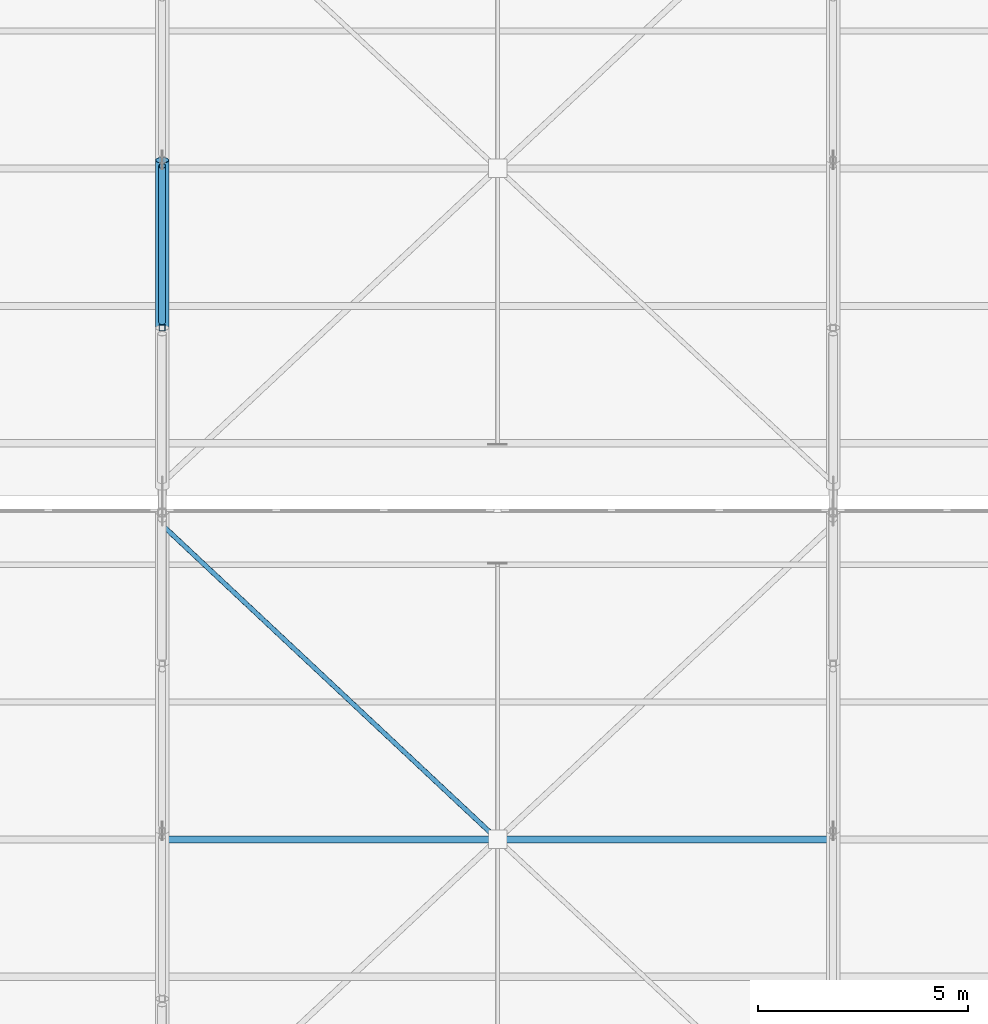
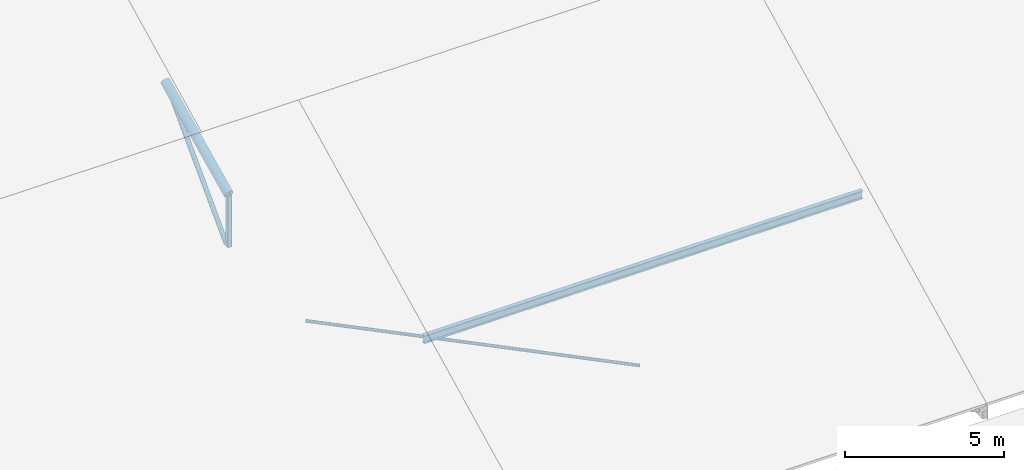
# One storey, part 47 of 137: 4 members, 1 beam.
"""IFC4 building model written with IfcOpenShell, lengths in metres."""

from ifc_helpers import new_model, si_unit, direction, frame, origin, origin_2d, place, context, subcontext, project, spatial, hollow_rectangle, hollow_circle, i_section, extrude, material, material_profile, profile_set, type_object, element, save


model = new_model("IFC4")

# Units and contexts
model_context = context("Model", 3, precision=1e-05, world=origin(), true_north=direction((0.0, 1.0)))
body_context = subcontext(model_context, "Body", "Model", "MODEL_VIEW")
ifc_project = project(units=[si_unit("LENGTHUNIT", "METRE"), si_unit("AREAUNIT", "SQUARE_METRE"), si_unit("VOLUMEUNIT", "CUBIC_METRE"), si_unit("PLANEANGLEUNIT", "RADIAN"), si_unit("MASSUNIT", "GRAM", prefix="KILO")], contexts=[model_context])

# Site, building, storey
site_placement = place(None, origin())
site = spatial("IfcSite", under=ifc_project, at=site_placement, CompositionType="ELEMENT")
building_placement = place(site_placement, origin())
building = spatial("IfcBuilding", under=site, at=building_placement, Name="Jelvoka-Kovrelna Polytechnic", CompositionType="ELEMENT")
storey_placement = place(building_placement, frame((0.0, 0.0, 9.60009765625)))
storey = spatial("IfcBuildingStorey", under=building, at=storey_placement, Name="L03", CompositionType="ELEMENT", Elevation=9.60009765625)

# Members
ifc_material_1 = material(Name="Structural steel S355J2H", Category="steel")
ifc_material_profile_1 = material_profile(ifc_material_1, hollow_circle(Radius=0.05712890625, WallThickness=0.00634765625, at=origin_2d()), Name="114.3x6.3 CHS")
ifc_profile_set_1 = profile_set([ifc_material_profile_1], Name="Structural steel S355J2H")
member_type_1 = type_object("IfcMemberType", Name="Member_Brace_CHS114", PredefinedType="BRACE", material=ifc_profile_set_1)
member_1_placement = place(storey_placement, frame((120.050048828125, 103.25, 0.14990234375), z_axis=(0.729679522085, -0.683789291412, 0.0), x_axis=(0.683789291412, 0.729679522085, 0.0)))
element("IfcMember", 1, at=member_1_placement, inside=storey, type_object=member_type_1, Name="Sawtooth roof split X-brace half-diagonal 0211", PredefinedType="BRACE", context=body_context, shape_type="SweptSolid", body=[
    extrude(hollow_circle(Radius=0.05712890625, WallThickness=0.00634765625, at=origin_2d()), origin(), (0.0, 0.0, 1.0), 10.80517578125),
])
ifc_material_2 = material(Name="Structural steel S355J2H", Category="steel")
ifc_material_profile_2 = material_profile(ifc_material_2, hollow_circle(Radius=0.084228515625, WallThickness=0.008056640625, at=origin_2d()), Name="168.3x8.0 CHS")
ifc_profile_set_2 = profile_set([ifc_material_profile_2], Name="Structural steel S355J2H")
member_type_2 = type_object("IfcMemberType", Name="Member_Brace_CHS168", PredefinedType="BRACE", material=ifc_profile_set_2)
member_2_placement = place(storey_placement, frame((120.0, 108.139892578125, 0.14990234375), z_axis=(0.0, 0.69521468222, 0.718802160282), x_axis=(-1.0, 0.0, 0.0)))
element("IfcMember", 2, at=member_2_placement, inside=storey, type_object=member_type_2, Name="Sawtooth truss 3 diagonal web 2.2", PredefinedType="BRACE", context=body_context, shape_type="SweptSolid", body=[
    extrude(hollow_circle(Radius=0.084228515625, WallThickness=0.008056640625, at=origin_2d()), origin(), (0.0, 0.0, 1.0), 5.35107421875),
])
ifc_material_3 = material(Name="Structural steel S355J2H", Category="steel")
ifc_material_profile_3 = material_profile(ifc_material_3, hollow_circle(Radius=0.161865234375, WallThickness=0.010009765625, at=origin_2d()), Name="323.9x10.0 CHS")
ifc_profile_set_3 = profile_set([ifc_material_profile_3], Name="Structural steel S355J2H")
member_type_3 = type_object("IfcMemberType", Name="Member_Chord_CHS324", PredefinedType="CHORD", material=ifc_profile_set_3)
member_3_placement = place(storey_placement, frame((120.0, 108.0, 2.148193359375), z_axis=(0.0, 0.900799405566, 0.434235455637), x_axis=(-1.0, 0.0, 0.0)))
element("IfcMember", 3, at=member_3_placement, inside=storey, type_object=member_type_3, Name="Sawtooth truss 3 top chord 2.2", PredefinedType="CHORD", context=body_context, shape_type="SweptSolid", body=[
    extrude(hollow_circle(Radius=0.161865234375, WallThickness=0.010009765625, at=origin_2d()), origin(), (0.0, 0.0, 1.0), 4.4404296875),
])
ifc_material_4 = material(Name="Structural steel S355J2H", Category="steel")
ifc_material_profile_4 = material_profile(ifc_material_4, hollow_rectangle(XDim=0.14990234375, YDim=0.14990234375, WallThickness=0.008056640625, InnerFilletRadius=0.008056640625, OuterFilletRadius=0.011962890625, at=origin_2d()), Name="150x150x8.0 SHS")
ifc_profile_set_4 = profile_set([ifc_material_profile_4], Name="Structural steel S355J2H")
member_type_4 = type_object("IfcMemberType", Name="Member_Post_SHS150", PredefinedType="POST", material=ifc_profile_set_4)
member_4_placement = place(storey_placement, frame((120.0, 108.0, 0.14990234375), z_axis=(0.0, 0.0, 1.0), x_axis=(1.0, 0.0, 0.0)))
element("IfcMember", 4, at=member_4_placement, inside=storey, type_object=member_type_4, Name="Sawtooth truss 3 web post 2.2", PredefinedType="POST", context=body_context, shape_type="SweptSolid", body=[
    extrude(hollow_rectangle(XDim=0.14990234375, YDim=0.14990234375, WallThickness=0.008056640625, InnerFilletRadius=0.008056640625, OuterFilletRadius=0.011962890625, at=origin_2d()), origin(), (0.0, 0.0, 1.0), 1.998291015625),
])

# Beam
ifc_material_5 = material(Name="Structural steel S355JR", Category="steel")
ifc_material_profile_5 = material_profile(ifc_material_5, i_section(OverallWidth=0.1650390625, OverallDepth=0.303466796875, WebThickness=0.006103515625, FlangeThickness=0.01025390625, FilletRadius=0.0087890625, at=origin_2d()), Name="305x165x40 UB")
ifc_profile_set_5 = profile_set([ifc_material_profile_5], Name="Structural steel S355JR")
beam_type = type_object("IfcBeamType", Name="Purlin_Steel_UB305", PredefinedType="JOIST", material=ifc_profile_set_5)
beam_placement = place(storey_placement, frame((120.02001953125, 95.800048828125, 3.97998046875), z_axis=(1.0, 0.0, 0.0), x_axis=(0.0, 1.0, 0.0)))
element("IfcBeam", 5, at=beam_placement, inside=storey, type_object=beam_type, Name="Sawtooth roof purlin 023", PredefinedType="JOIST", context=body_context, shape_type="SweptSolid", body=[
    extrude(i_section(OverallWidth=0.1650390625, OverallDepth=0.303466796875, WebThickness=0.006103515625, FlangeThickness=0.01025390625, FilletRadius=0.0087890625, at=origin_2d()), origin(), (0.0, 0.0, 1.0), 15.9599609375),
])

save(model, "model.ifc")
